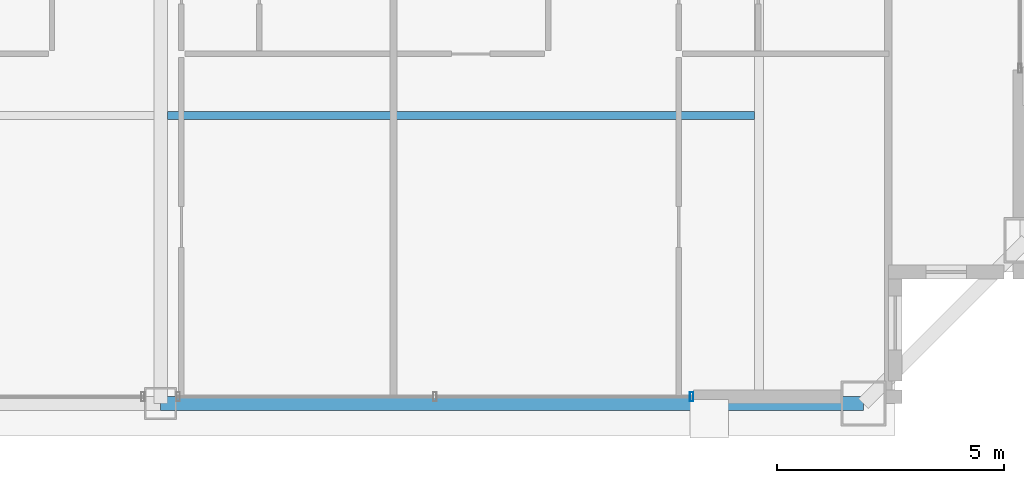
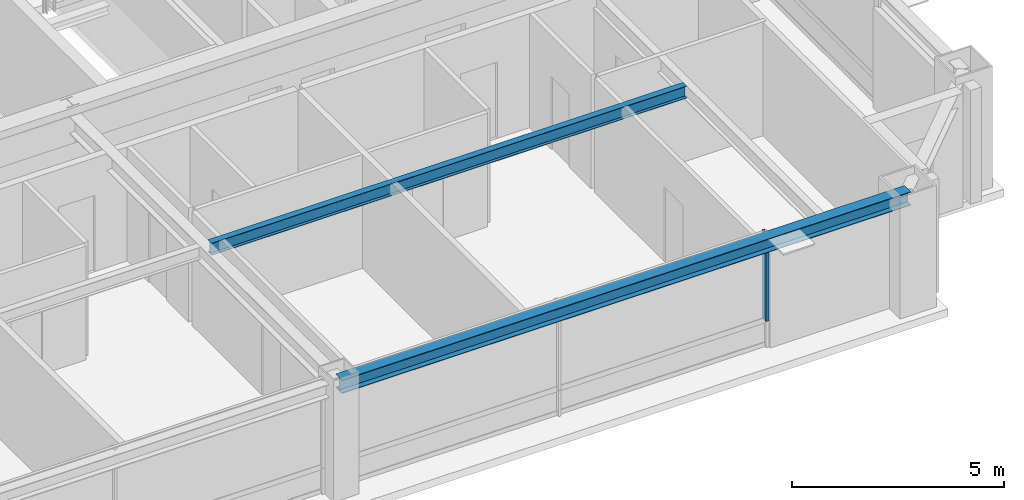
# One storey, part 9 of 35: 2 beams, 1 member, 1 element without a shape of its own.
"""IFC4 building model written with IfcOpenShell, lengths in metres."""

from ifc_helpers import new_model, si_unit, direction, frame, origin, origin_2d, place, context, subcontext, project, spatial, hollow_rectangle, i_section, extrude, source, transform, mapped, material, layer, layer_set, material_profile, profile_set, type_object, element, aggregate, save


model = new_model("IFC4")

# Units and contexts
model_context = context("Model", 3, precision=1e-05, world=origin(), true_north=direction((0.0, 1.0)))
body_context = subcontext(model_context, "Body", "Model", "MODEL_VIEW")
ifc_project = project(units=[si_unit("LENGTHUNIT", "METRE"), si_unit("AREAUNIT", "SQUARE_METRE"), si_unit("VOLUMEUNIT", "CUBIC_METRE"), si_unit("PLANEANGLEUNIT", "RADIAN"), si_unit("MASSUNIT", "GRAM", prefix="KILO"), si_unit("THERMODYNAMICTEMPERATUREUNIT", "KELVIN"), si_unit("POWERUNIT", "WATT")], contexts=[model_context])

# Site, building, storey
site_placement = place(None, origin())
site = spatial("IfcSite", under=ifc_project, at=site_placement, CompositionType="ELEMENT")
building_placement = place(site_placement, origin())
building = spatial("IfcBuilding", under=site, at=building_placement, Name="Yuzanri Waterfront Tower", CompositionType="ELEMENT")
storey_placement = place(building_placement, frame((0.0, 0.0, 318.199951171875)))
storey = spatial("IfcBuildingStorey", under=building, at=storey_placement, Name="L85", CompositionType="ELEMENT", Elevation=318.199951171875)

# Beams
ifc_material_1 = material(Name="Steel Q355B", Category="steel")
ifc_material_profile_1 = material_profile(ifc_material_1, i_section(OverallWidth=0.175048828125, OverallDepth=0.35009765625, WebThickness=0.007080078125, FlangeThickness=0.010986328125, at=origin_2d()), Name="HN 350x175x7x11")
ifc_profile_set_1 = profile_set([ifc_material_profile_1], Name="Steel Q355B")
beam_type_1 = type_object("IfcBeamType", Name="Floor Joist Q355B HN 350x175", PredefinedType="JOIST", material=ifc_profile_set_1)
shared_shape_1 = source(origin(), body_context, "Body", "SweptSolid", [
    extrude(i_section(OverallWidth=0.175048828125, OverallDepth=0.35009765625, WebThickness=0.007080078125, FlangeThickness=0.010986328125, at=origin_2d()), origin(), (0.0, 0.0, 1.0), 12.9501953125),
])
beam_1_placement = place(storey_placement, frame((37.14990234375, 13.050048828125, 3.10498046875), z_axis=(1.0, 0.0, 0.0), x_axis=(0.0, 1.0, 0.0)))
element("IfcBeam", 1, at=beam_1_placement, inside=storey, type_object=beam_type_1, Name="L85 South Bay Joist E", PredefinedType="JOIST", context=body_context, shape_type="MappedRepresentation", body=[
    mapped(shared_shape_1, transform((0.0, 0.0, 0.0), scale=1.0)),
])
ifc_material_2 = material(Name="Steel Q355B", Category="steel")
ifc_material_profile_2 = material_profile(ifc_material_2, i_section(OverallWidth=0.300048828125, OverallDepth=0.389892578125, WebThickness=0.010009765625, FlangeThickness=0.01611328125, at=origin_2d()), Name="HM 390x300x10x16")
ifc_profile_set_2 = profile_set([ifc_material_profile_2], Name="Steel Q355B")
beam_type_2 = type_object("IfcBeamType", Name="Perimeter Spandrel Q355B HM 390x300", PredefinedType="SPANDREL", material=ifc_profile_set_2)
shared_shape_2 = source(origin(), body_context, "Body", "SweptSolid", [
    extrude(i_section(OverallWidth=0.300048828125, OverallDepth=0.389892578125, WebThickness=0.010009765625, FlangeThickness=0.01611328125, at=origin_2d()), origin(), (0.0, 0.0, 1.0), 15.5),
])
beam_2_placement = place(storey_placement, frame((37.0, 6.699951171875, 3.0849609375), z_axis=(1.0, 0.0, 0.0), x_axis=(0.0, 1.0, 0.0)))
element("IfcBeam", 2, at=beam_2_placement, inside=storey, type_object=beam_type_2, Name="L85 Perimeter Spandrel S2-S3", PredefinedType="SPANDREL", context=body_context, shape_type="MappedRepresentation", body=[
    mapped(shared_shape_2, transform((0.0, 0.0, 0.0), scale=1.0)),
])

# Curtain wall, member
ifc_material_3 = material(Name="Anodized Architectural Bronze", Category="metal")
ifc_layer = layer(ifc_material_3, 0.159912109375)
ifc_layer_set = layer_set([ifc_layer], Name="Anodized Architectural Bronze")
curtain_wall_type = type_object("IfcCurtainWallType", Name="Anodized Bronze High-Rise Penthouse High-Wind Unitized Curtain Wall 6900", PredefinedType="NOTDEFINED", material=ifc_layer_set)
curtain_wall_placement = place(storey_placement, origin())
curtain_wall = element("IfcCurtainWall", 3, at=curtain_wall_placement, inside=storey, type_object=curtain_wall_type, Name="L85 Curtain Wall CW-L85-SR", PredefinedType="NOTDEFINED")
ifc_material_4 = material(Name="Anodized Architectural Bronze", Category="metal")
ifc_material_profile_3 = material_profile(ifc_material_4, hollow_rectangle(XDim=0.074951171875, YDim=0.199951171875, WallThickness=0.00390625, at=origin_2d()), Name="CWM 75x200")
ifc_profile_set_3 = profile_set([ifc_material_profile_3], Name="Anodized Architectural Bronze")
member_type = type_object("IfcMemberType", Name="Anodized Bronze Primary Curtain-Wall Mullion 75x200", PredefinedType="MULLION", material=ifc_profile_set_3)
shared_shape_3 = source(origin(), body_context, "Body", "SweptSolid", [
    extrude(hollow_rectangle(XDim=0.074951171875, YDim=0.199951171875, WallThickness=0.00390625, at=origin_2d()), origin(), (0.0, 0.0, 1.0), 2.52392578125),
])
member_placement = place(storey_placement, frame((48.7099609375, 6.85009765625, 0.756103515625), z_axis=(0.0, 0.0, 1.0), x_axis=(1.0, 0.0, 0.0)))
member = element("IfcMember", 4, at=member_placement, type_object=member_type, Name="CW-L85-SR Upper Mullion 02", PredefinedType="MULLION", context=body_context, shape_type="MappedRepresentation", body=[
    mapped(shared_shape_3, transform((0.0, 0.0, 0.0), scale=1.0)),
])
aggregate(curtain_wall, [member])

save(model, "model.ifc")
